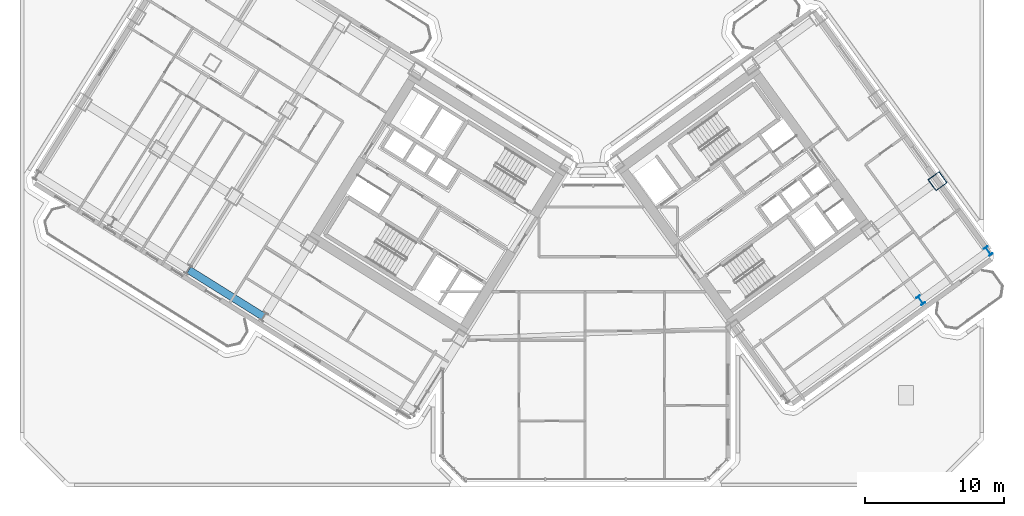
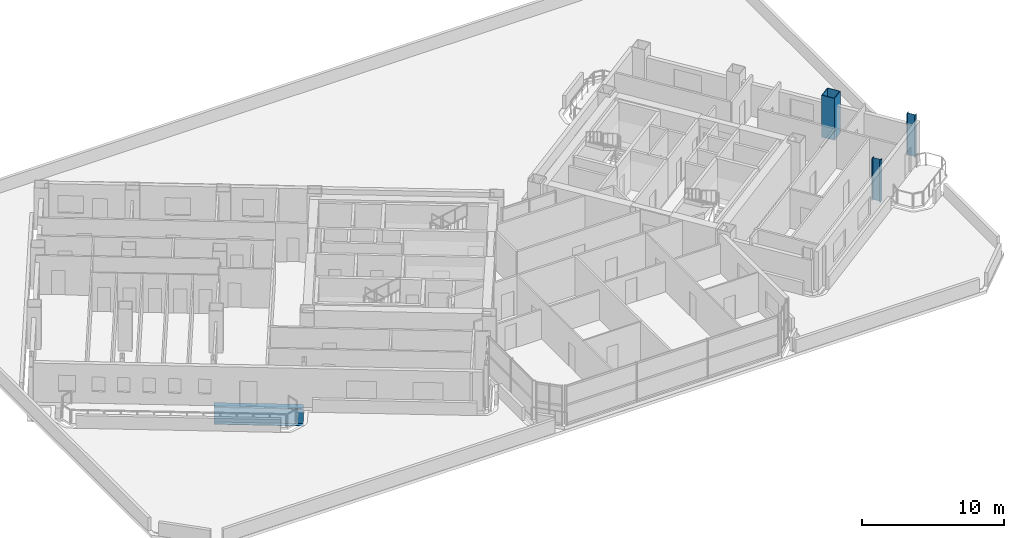
# One storey, part 3 of 28: 3 columns, 1 beam.
"""IFC4 building model written with IfcOpenShell, lengths in metres."""

from ifc_helpers import new_model, si_unit, direction, frame, origin, origin_2d, place, context, subcontext, project, spatial, hollow_rectangle, i_section, extrude, source, transform, mapped, material, material_profile, profile_set, type_object, element, save


model = new_model("IFC4")

# Units and contexts
model_context = context("Model", 3, precision=1e-05, world=origin(), true_north=direction((0.0, 1.0)))
body_context = subcontext(model_context, "Body", "Model", "MODEL_VIEW")
ifc_project = project(units=[si_unit("LENGTHUNIT", "METRE"), si_unit("AREAUNIT", "SQUARE_METRE"), si_unit("VOLUMEUNIT", "CUBIC_METRE"), si_unit("PLANEANGLEUNIT", "RADIAN"), si_unit("MASSUNIT", "GRAM", prefix="KILO")], contexts=[model_context])

# Site, building, storey
site_placement = place(None, origin())
site = spatial("IfcSite", under=ifc_project, at=site_placement, CompositionType="ELEMENT")
building_placement = place(site_placement, origin())
building = spatial("IfcBuilding", under=site, at=building_placement, Name="Tlacorven Tower", CompositionType="ELEMENT")
storey_placement = place(building_placement, frame((0.0, 0.0, 24.0)))
storey = spatial("IfcBuildingStorey", under=building, at=storey_placement, Name="L05", CompositionType="ELEMENT", Elevation=24.0)

# Columns
ifc_material = material(Name="Steel S460M", Category="steel")
ifc_material_profile_1 = material_profile(ifc_material, hollow_rectangle(XDim=1.0, YDim=1.0, WallThickness=0.0400390625, at=origin_2d()), Name="BOX 1000X1000X40")
ifc_profile_set_1 = profile_set([ifc_material_profile_1], Name="Steel S460M")
column_type_1 = type_object("IfcColumnType", Name="COL-TWR-S1", PredefinedType="COLUMN", material=ifc_profile_set_1)
shared_shape_1 = source(origin(), body_context, "Body", "SweptSolid", [
    extrude(hollow_rectangle(XDim=1.0, YDim=1.0, WallThickness=0.0400390625, at=origin_2d()), origin(), (0.0, 0.0, 1.0), 3.60009765625),
])
column_placement = place(storey_placement, frame((67.267822265625, 23.353515625, 0.0), z_axis=(0.0, 0.0, 1.0), x_axis=(0.809016994375, 0.587785252292, 0.0)))
element("IfcColumn", 1, at=column_placement, inside=storey, type_object=column_type_1, Name="L05 column COL-L05-E4-2", PredefinedType="COLUMN", context=body_context, shape_type="MappedRepresentation", body=[
    mapped(shared_shape_1, transform((0.0, 0.0, 0.0), scale=1.0)),
])
ifc_material_profile_2 = material_profile(ifc_material, i_section(OverallWidth=0.300048828125, OverallDepth=0.64990234375, WebThickness=0.01611328125, FlangeThickness=0.031005859375, at=origin_2d()), Name="HEB 650")
ifc_profile_set_2 = profile_set([ifc_material_profile_2], Name="Steel S460M")
column_type_2 = type_object("IfcColumnType", Name="COL-TWR-P1", PredefinedType="COLUMN", material=ifc_profile_set_2)
shared_shape_2 = source(origin(), body_context, "Body", "SweptSolid", [
    extrude(i_section(OverallWidth=0.300048828125, OverallDepth=0.64990234375, WebThickness=0.01611328125, FlangeThickness=0.031005859375, at=origin_2d()), origin(), (0.0, 0.0, 1.0), 3.60009765625),
])
for number, where, z_axis, x_axis, name in (
    (2, (66.057861328125, 14.81103515625, 0.0), (0.0, 0.0, 1.0), (0.809016994375, 0.587785252292, 0.0), "L05 column COL-L05-E3-1"),
    (3, (70.911865234375, 18.337646484375, 0.0), (0.0, 0.0, 1.0), (0.809016994375, 0.587785252292, 0.0), "L05 column COL-L05-E4-1"),
):
    element("IfcColumn", number, at=place(storey_placement, frame(where, z_axis=z_axis, x_axis=x_axis)), inside=storey, type_object=column_type_2, Name=name, PredefinedType="COLUMN", context=body_context, shape_type="MappedRepresentation", body=[
        mapped(shared_shape_2, transform((0.0, 0.0, 0.0), scale=1.0)),
    ])

# Beam
ifc_material_profile_3 = material_profile(ifc_material, i_section(OverallWidth=0.550048828125, OverallDepth=1.5, WebThickness=0.02490234375, FlangeThickness=0.0380859375, at=origin_2d()), Name="PG 1500X550X25X38")
ifc_profile_set_3 = profile_set([ifc_material_profile_3], Name="Steel S460M")
beam_type = type_object("IfcBeamType", Name="BM-TRG-1500", PredefinedType="USERDEFINED", material=ifc_profile_set_3)
shared_shape_3 = source(origin(), body_context, "Body", "SweptSolid", [
    extrude(i_section(OverallWidth=0.550048828125, OverallDepth=1.5, WebThickness=0.02490234375, FlangeThickness=0.0380859375, at=origin_2d()), origin(), (0.0, 0.0, 1.0), 6.300048828125),
])
beam_placement = place(storey_placement, frame((18.86328125, 13.638427734375, -1.199951171875), z_axis=(-0.848041842361, 0.529929272267, 0.0), x_axis=(-0.529929272267, -0.848041842361, 0.0)))
element("IfcBeam", 4, at=beam_placement, inside=storey, type_object=beam_type, Name="L05 beam TG-L05-WS3", ObjectType="TRANSFER GIRDER", PredefinedType="USERDEFINED", context=body_context, shape_type="MappedRepresentation", body=[
    mapped(shared_shape_3, transform((0.0, 0.0, 0.0), scale=1.0)),
])

save(model, "model.ifc")
